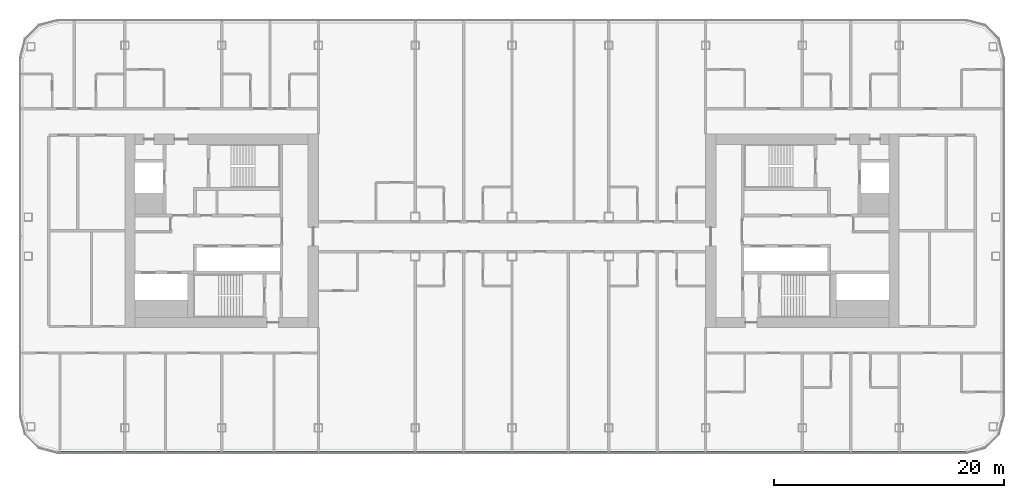
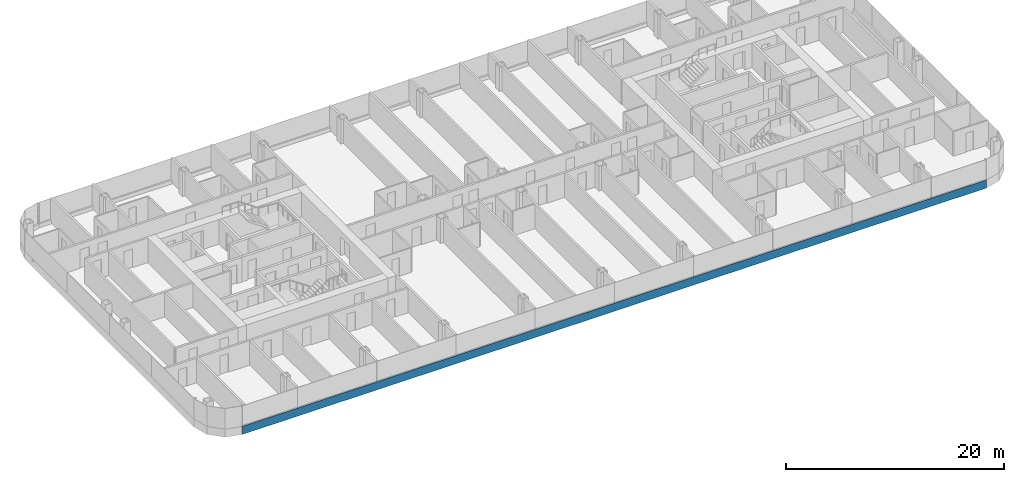
# One storey, part 4 of 26: 1 member, 1 element without a shape of its own.
"""IFC4 building model written with IfcOpenShell, lengths in metres."""

from ifc_helpers import new_model, si_unit, direction, frame, origin, origin_2d, place, context, subcontext, project, spatial, rectangle, extrude, material, layer, layer_set, material_profile, profile_set, type_object, element, aggregate, save


model = new_model("IFC4")

# Units and contexts
model_context = context("Model", 3, precision=1e-05, world=origin(), true_north=direction((0.0, 1.0)))
body_context = subcontext(model_context, "Body", "Model", "MODEL_VIEW")
ifc_project = project(units=[si_unit("LENGTHUNIT", "METRE"), si_unit("AREAUNIT", "SQUARE_METRE"), si_unit("VOLUMEUNIT", "CUBIC_METRE"), si_unit("PLANEANGLEUNIT", "RADIAN"), si_unit("MASSUNIT", "GRAM", prefix="KILO")], contexts=[model_context])

# Site, building, storey
site_placement = place(None, origin())
site = spatial("IfcSite", under=ifc_project, at=site_placement, CompositionType="ELEMENT")
building_placement = place(site_placement, origin())
building = spatial("IfcBuilding", under=site, at=building_placement, Name="Hakoniwa Tower and Hamabe Station Hall", CompositionType="ELEMENT")
storey_placement = place(building_placement, frame((0.0, 0.0, 169.39990234375)))
storey = spatial("IfcBuildingStorey", under=building, at=storey_placement, Name="L48", CompositionType="ELEMENT", Elevation=169.39990234375)

# Curtain wall, member
ifc_material_1 = material(Name="Dark low-e laminated glass", Category="glass")
ifc_layer = layer(ifc_material_1, 0.199951171875)
ifc_layer_set = layer_set([ifc_layer], Name="CW-1 UNITISED GUEST")
curtain_wall_type = type_object("IfcCurtainWallType", Name="CW-1 UNITISED GUEST", PredefinedType="NOTDEFINED", material=ifc_layer_set)
curtain_wall_placement = place(storey_placement, origin())
curtain_wall = element("IfcCurtainWall", 1, at=curtain_wall_placement, inside=storey, type_object=curtain_wall_type, Name="CW-1 curtain wall", PredefinedType="NOTDEFINED")
ifc_material_2 = material(Name="Aluminium 6063-T5 black anodised", Category="aluminium")
ifc_material_profile = material_profile(ifc_material_2, rectangle(XDim=0.199951171875, YDim=0.89990234375, at=origin_2d()), Name="CW SLAB-EDGE BAND 900X200")
ifc_profile_set = profile_set([ifc_material_profile], Name="Aluminium 6063-T5 black anodised")
member_type = type_object("IfcMemberType", Name="CW SLAB-EDGE BAND 900X200", PredefinedType="USERDEFINED", material=ifc_profile_set)
member_placement = place(storey_placement, frame((-39.439453125, -19.199951171875, -0.099853515625), z_axis=(1.0, 0.0, 0.0), x_axis=(0.0, 1.0, 0.0)))
member = element("IfcMember", 2, at=member_placement, type_object=member_type, Name="CW-1 transom", ObjectType="TRANSOM", PredefinedType="USERDEFINED", context=body_context, shape_type="SweptSolid", body=[
    extrude(rectangle(XDim=0.199951171875, YDim=0.89990234375, at=origin_2d()), origin(), (0.0, 0.0, 1.0), 78.87890625),
])
aggregate(curtain_wall, [member])

save(model, "model.ifc")
